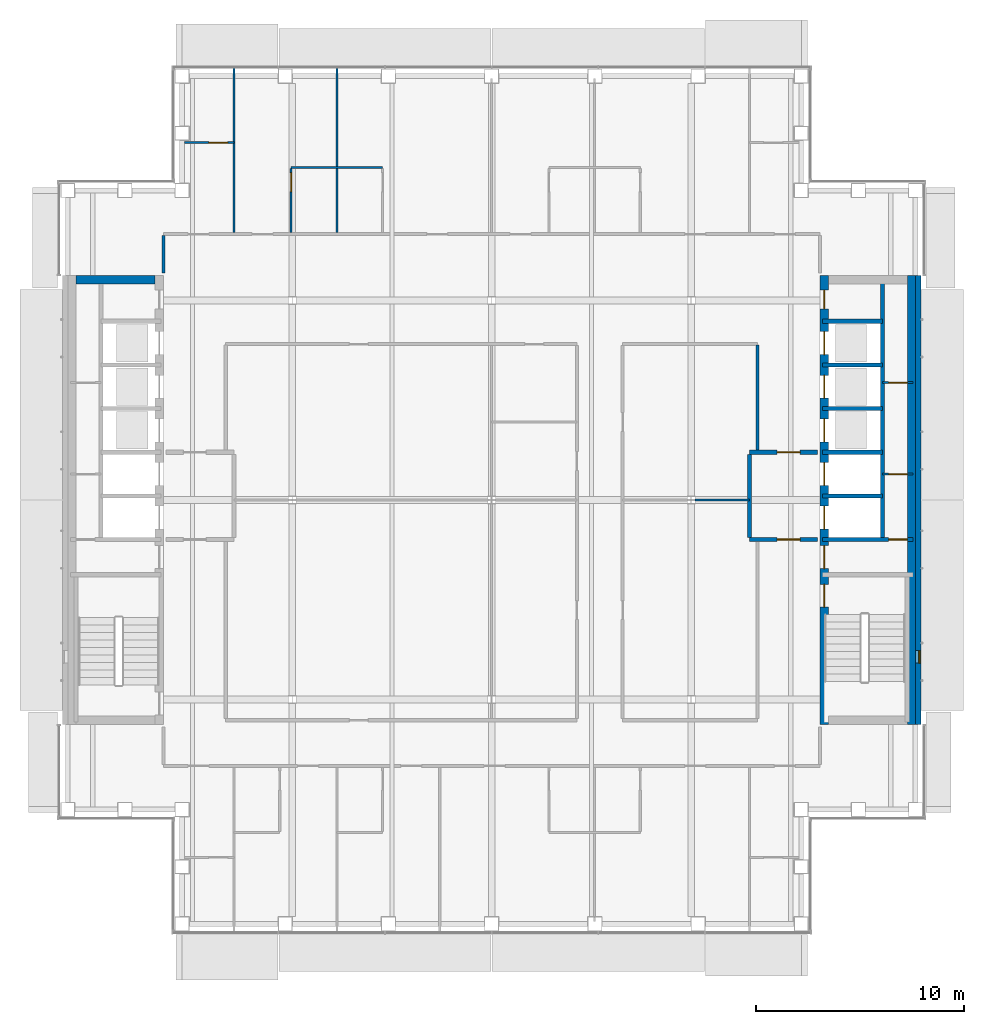
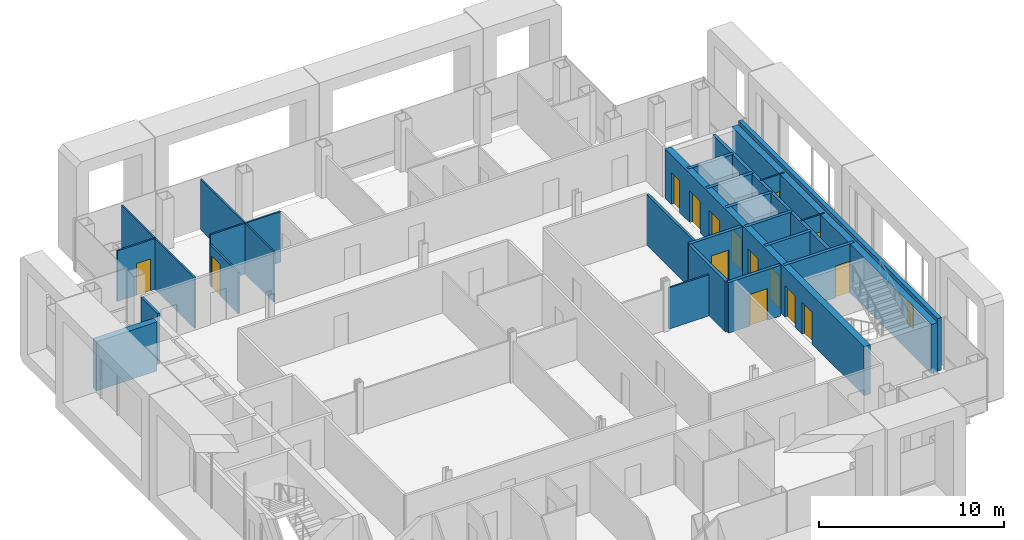
# One storey, part 11 of 19: 25 walls, 15 doors, 1 window, 16 openings.
"""IFC4 building model written with IfcOpenShell, lengths in metres."""

from ifc_helpers import new_model, si_unit, direction, frame, frame_2d, origin, place, context, subcontext, project, spatial, rectangle, extrude, material, layer, layer_set, type_object, element, fill, save


model = new_model("IFC4")

# Units and contexts
model_context = context("Model", 3, precision=1e-05, world=origin(), true_north=direction((0.0, 1.0)))
body_context = subcontext(model_context, "Body", "Model", "MODEL_VIEW")
ifc_project = project(units=[si_unit("LENGTHUNIT", "METRE"), si_unit("AREAUNIT", "SQUARE_METRE"), si_unit("VOLUMEUNIT", "CUBIC_METRE"), si_unit("PLANEANGLEUNIT", "RADIAN"), si_unit("MASSUNIT", "GRAM", prefix="KILO")], contexts=[model_context])

# Site, building, storey
site_placement = place(None, origin())
site = spatial("IfcSite", under=ifc_project, at=site_placement, CompositionType="ELEMENT")
building_placement = place(site_placement, origin())
building = spatial("IfcBuilding", under=site, at=building_placement, Name="Cobrizo Arcos Hotel Tower", CompositionType="ELEMENT")
storey_placement = place(building_placement, frame((0.0, 0.0, 198.0)))
storey = spatial("IfcBuildingStorey", under=building, at=storey_placement, Name="L51", CompositionType="ELEMENT", Elevation=198.0)

# Walls
ifc_material_1 = material(Name="Gypsum board partition")
ifc_layer_1 = layer(ifc_material_1, 0.14990234375)
ifc_layer_set_1 = layer_set([ifc_layer_1], Name="Corridor wall EI 60 150")
wall_type_1 = type_object("IfcWallType", Name="Corridor wall EI 60 150", PredefinedType="PARTITIONING", material=ifc_layer_set_1)
wall_1_placement = place(storey_placement, frame((-15.800048828125, 10.919921875, 0.0), z_axis=(0.0, 0.0, 1.0), x_axis=(0.0, 1.0, 0.0)))
element("IfcWall", 1, at=wall_1_placement, inside=storey, type_object=wall_type_1, Name="Partition 050", PredefinedType="PARTITIONING", context=body_context, shape_type="SweptSolid", body=[
    extrude(rectangle(XDim=1.80517578125, YDim=0.14990234375, at=frame_2d((0.902587890625, 0.0))), origin(), (0.0, 0.0, 1.0), 3.35009765625),
])
wall_2_placement = place(storey_placement, frame((12.800048828125, 2.39990234375, 0.0), z_axis=(0.0, 0.0, 1.0), x_axis=(0.0, 1.0, 0.0)))
element("IfcWall", 2, at=wall_2_placement, inside=storey, type_object=wall_type_1, Name="Partition 083", PredefinedType="PARTITIONING", context=body_context, shape_type="SweptSolid", body=[
    extrude(rectangle(XDim=5.050048828125, YDim=0.14990234375, at=frame_2d((2.52490234375, 0.0))), origin(), (0.0, 0.0, 1.0), 3.35009765625),
])

# Wall, opening, window
ifc_material_2 = material(Name="Aluminium composite panel pale metal", Category="aluminium")
ifc_layer_2 = layer(ifc_material_2, 0.25)
ifc_layer_set_2 = layer_set([ifc_layer_2], Name="EW-1 insulated panel wall 250")
wall_type_2 = type_object("IfcWallType", Name="EW-1 insulated panel wall 250", PredefinedType="SOLIDWALL", material=ifc_layer_set_2)
wall_3_placement = place(storey_placement, frame((20.52490234375, -10.800048828125, 0.0), z_axis=(0.0, 0.0, 1.0), x_axis=(0.0, 1.0, 0.0)))
wall_3 = element("IfcWall", 3, at=wall_3_placement, inside=storey, type_object=wall_type_2, Name="Core face wall L51 E", PredefinedType="SOLIDWALL", context=body_context, shape_type="SweptSolid", body=[
    extrude(rectangle(XDim=21.60009765625, YDim=0.25, at=frame_2d((10.800048828125, 0.0))), origin(), (0.0, 0.0, 1.0), 3.5),
])
opening_1_placement = place(wall_3_placement, frame((2.949951171875, 0.0, 1.0)))
opening_1 = element("IfcOpeningElement", 4, at=opening_1_placement, cuts=wall_3, Name="Opening W-115", PredefinedType="OPENING", context=body_context, shape_type="SweptSolid", body=[
    extrude(rectangle(XDim=0.60009765625, YDim=1.5, at=frame_2d((0.300048828125, 0.75))), frame((0.0, 0.136962890625, 0.0), z_axis=(0.0, -1.0, 0.0), x_axis=(1.0, 0.0, 0.0)), (0.0, 0.0, 1.0), 0.27392578125),
])
ifc_material_3 = material(Name="Aluminium 6063-T6 and clear laminated glass", Category="aluminium")
window_type = type_object("IfcWindowType", Name="W-C1 core stair slot window 600x1500", PartitioningType="SINGLE_PANEL", PredefinedType="WINDOW", material=ifc_material_3)
window_placement = place(opening_1_placement, origin())
window = element("IfcWindow", 5, at=window_placement, inside=storey, type_object=window_type, Name="Core face wall L51 E window W-115", OverallHeight=1.5, OverallWidth=0.60009765625, PartitioningType="SINGLE_PANEL", PredefinedType="WINDOW", context=body_context, shape_type="SweptSolid", body=[
    extrude(rectangle(XDim=0.60009765625, YDim=1.5, at=frame_2d((0.300048828125, 0.75))), frame((0.0, -0.034912109375, 0.0), z_axis=(0.0, -1.0, 0.0), x_axis=(1.0, 0.0, 0.0)), (0.0, 0.0, 1.0), 0.06005859375),
])
fill(opening_1, window)

# Wall
ifc_layer_3 = layer(ifc_material_1, 0.10009765625)
ifc_layer_set_3 = layer_set([ifc_layer_3], Name="Partition EI 30 100")
wall_type_3 = type_object("IfcWallType", Name="Partition EI 30 100", PredefinedType="PARTITIONING", material=ifc_layer_set_3)
wall_4_placement = place(storey_placement, frame((9.787109375, 0.0, 0.0), z_axis=(0.0, 0.0, 1.0), x_axis=(1.0, 0.0, 0.0)))
element("IfcWall", 6, at=wall_4_placement, inside=storey, type_object=wall_type_3, Name="Partition 022", PredefinedType="PARTITIONING", context=body_context, shape_type="SweptSolid", body=[
    extrude(rectangle(XDim=2.61279296875, YDim=0.10009765625, at=frame_2d((1.306396484375, 0.0))), origin(), (0.0, 0.0, 1.0), 2.72802734375),
])

# Wall, opening, door
wall_5_placement = place(storey_placement, frame((18.800048828125, 1.25, 0.0), z_axis=(0.0, 0.0, 1.0), x_axis=(1.0, 0.0, 0.0)))
wall_5 = element("IfcWall", 7, at=wall_5_placement, inside=storey, type_object=wall_type_3, Name="Partition 026", PredefinedType="PARTITIONING", context=body_context, shape_type="SweptSolid", body=[
    extrude(rectangle(XDim=1.47998046875, YDim=0.10009765625, at=frame_2d((0.739990234375, 0.0))), origin(), (0.0, 0.0, 1.0), 3.25),
])
opening_2_placement = place(wall_5_placement, frame((0.300048828125, 0.0, 0.0)))
opening_2 = element("IfcOpeningElement", 8, at=opening_2_placement, cuts=wall_5, Name="Opening RD-07", PredefinedType="OPENING", context=body_context, shape_type="SweptSolid", body=[
    extrude(rectangle(XDim=0.89990234375, YDim=2.10009765625, at=frame_2d((0.449951171875, 1.050048828125))), frame((0.0, 0.06201171875, 0.0), z_axis=(0.0, -1.0, 0.0), x_axis=(1.0, 0.0, 0.0)), (0.0, 0.0, 1.0), 0.1240234375),
])
ifc_material_4 = material(Name="Timber door leaf", Category="wood")
door_type_1 = type_object("IfcDoorType", Name="Room door FD30 900x2100", OperationType="SINGLE_SWING_LEFT", PredefinedType="DOOR", material=ifc_material_4)
door_1_placement = place(opening_2_placement, origin())
door_1 = element("IfcDoor", 9, at=door_1_placement, inside=storey, type_object=door_type_1, Name="Door RD-07", OperationType="SINGLE_SWING_LEFT", OverallHeight=2.10009765625, OverallWidth=0.89990234375, PredefinedType="DOOR", context=body_context, shape_type="SweptSolid", body=[
    extrude(rectangle(XDim=0.89990234375, YDim=2.10009765625, at=frame_2d((0.449951171875, 1.050048828125))), frame((0.0, 0.02490234375, 0.0), z_axis=(0.0, -1.0, 0.0), x_axis=(1.0, 0.0, 0.0)), (0.0, 0.0, 1.0), 0.050048828125),
])
fill(opening_2, door_1)

wall_6_placement = place(storey_placement, frame((18.800048828125, 5.64990234375, 0.0), z_axis=(0.0, 0.0, 1.0), x_axis=(1.0, 0.0, 0.0)))
wall_6 = element("IfcWall", 10, at=wall_6_placement, inside=storey, type_object=wall_type_3, Name="Partition 035", PredefinedType="PARTITIONING", context=body_context, shape_type="SweptSolid", body=[
    extrude(rectangle(XDim=1.47998046875, YDim=0.10009765625, at=frame_2d((0.739990234375, 0.0))), origin(), (0.0, 0.0, 1.0), 3.25),
])
opening_3_placement = place(wall_6_placement, frame((0.300048828125, 0.0, 0.0)))
opening_3 = element("IfcOpeningElement", 11, at=opening_3_placement, cuts=wall_6, Name="Opening RD-08", PredefinedType="OPENING", context=body_context, shape_type="SweptSolid", body=[
    extrude(rectangle(XDim=0.89990234375, YDim=2.10009765625, at=frame_2d((0.449951171875, 1.050048828125))), frame((0.0, 0.06201171875, 0.0), z_axis=(0.0, -1.0, 0.0), x_axis=(1.0, 0.0, 0.0)), (0.0, 0.0, 1.0), 0.1240234375),
])
door_2_placement = place(opening_3_placement, origin())
door_2 = element("IfcDoor", 12, at=door_2_placement, inside=storey, type_object=door_type_1, Name="Door RD-08", OperationType="SINGLE_SWING_LEFT", OverallHeight=2.10009765625, OverallWidth=0.89990234375, PredefinedType="DOOR", context=body_context, shape_type="SweptSolid", body=[
    extrude(rectangle(XDim=0.89990234375, YDim=2.10009765625, at=frame_2d((0.449951171875, 1.050048828125))), frame((0.0, 0.02490234375, 0.0), z_axis=(0.0, -1.0, 0.0), x_axis=(1.0, 0.0, 0.0)), (0.0, 0.0, 1.0), 0.050048828125),
])
fill(opening_3, door_2)

# Wall
wall_7_placement = place(storey_placement, frame((-9.64990234375, 16.0, 0.0), z_axis=(0.0, 0.0, 1.0), x_axis=(1.0, 0.0, 0.0)))
element("IfcWall", 13, at=wall_7_placement, inside=storey, type_object=wall_type_3, Name="Partition 043", PredefinedType="PARTITIONING", context=body_context, shape_type="SweptSolid", body=[
    extrude(rectangle(XDim=4.39990234375, YDim=0.10009765625, at=frame_2d((2.199951171875, 0.0))), origin(), (0.0, 0.0, 1.0), 3.35009765625),
])

# Wall, opening, door
wall_8_placement = place(storey_placement, frame((-14.780029296875, 17.199951171875, 0.0), z_axis=(0.0, 0.0, 1.0), x_axis=(1.0, 0.0, 0.0)))
wall_8 = element("IfcWall", 14, at=wall_8_placement, inside=storey, type_object=wall_type_3, Name="Partition 045", PredefinedType="PARTITIONING", context=body_context, shape_type="SweptSolid", body=[
    extrude(rectangle(XDim=2.380126953125, YDim=0.10009765625, at=frame_2d((1.18994140625, 0.0))), origin(), (0.0, 0.0, 1.0), 3.35009765625),
])
opening_4_placement = place(wall_8_placement, frame((1.16796875, 0.0, 0.0)))
opening_4 = element("IfcOpeningElement", 15, at=opening_4_placement, cuts=wall_8, Name="Opening ED-10", PredefinedType="OPENING", context=body_context, shape_type="SweptSolid", body=[
    extrude(rectangle(XDim=0.89990234375, YDim=2.10009765625, at=frame_2d((0.449951171875, 1.050048828125))), frame((0.0, 0.06201171875, 0.0), z_axis=(0.0, -1.0, 0.0), x_axis=(1.0, 0.0, 0.0)), (0.0, 0.0, 1.0), 0.1240234375),
])
door_type_2 = type_object("IfcDoorType", Name="En-suite door 900x2100", OperationType="SINGLE_SWING_LEFT", PredefinedType="DOOR", material=ifc_material_4)
door_3_placement = place(opening_4_placement, origin())
door_3 = element("IfcDoor", 16, at=door_3_placement, inside=storey, type_object=door_type_2, Name="Door ED-10", OperationType="SINGLE_SWING_LEFT", OverallHeight=2.10009765625, OverallWidth=0.89990234375, PredefinedType="DOOR", context=body_context, shape_type="SweptSolid", body=[
    extrude(rectangle(XDim=0.89990234375, YDim=2.10009765625, at=frame_2d((0.449951171875, 1.050048828125))), frame((0.0, 0.02490234375, 0.0), z_axis=(0.0, -1.0, 0.0), x_axis=(1.0, 0.0, 0.0)), (0.0, 0.0, 1.0), 0.050048828125),
])
fill(opening_4, door_3)

# Wall
wall_9_placement = place(storey_placement, frame((-12.39990234375, 12.875, 0.0), z_axis=(0.0, 0.0, 1.0), x_axis=(0.0, 1.0, 0.0)))
element("IfcWall", 17, at=wall_9_placement, inside=storey, type_object=wall_type_3, Name="Partition 055", PredefinedType="PARTITIONING", context=body_context, shape_type="SweptSolid", body=[
    extrude(rectangle(XDim=7.905029296875, YDim=0.10009765625, at=frame_2d((3.95263671875, 0.0))), origin(), (0.0, 0.0, 1.0), 3.35009765625),
])

# Wall, opening, door
wall_10_placement = place(storey_placement, frame((-9.64990234375, 12.875, 0.0), z_axis=(0.0, 0.0, 1.0), x_axis=(0.0, 1.0, 0.0)))
wall_10 = element("IfcWall", 18, at=wall_10_placement, inside=storey, type_object=wall_type_3, Name="Partition 057", PredefinedType="PARTITIONING", context=body_context, shape_type="SweptSolid", body=[
    extrude(rectangle(XDim=3.074951171875, YDim=0.10009765625, at=frame_2d((1.53759765625, 0.0))), origin(), (0.0, 0.0, 1.0), 2.72802734375),
])
opening_5_placement = place(wall_10_placement, frame((1.970947265625, 0.0, 0.0)))
opening_5 = element("IfcOpeningElement", 19, at=opening_5_placement, cuts=wall_10, Name="Opening ED-01", PredefinedType="OPENING", context=body_context, shape_type="SweptSolid", body=[
    extrude(rectangle(XDim=0.89990234375, YDim=2.10009765625, at=frame_2d((0.449951171875, 1.050048828125))), frame((0.0, 0.06201171875, 0.0), z_axis=(0.0, -1.0, 0.0), x_axis=(1.0, 0.0, 0.0)), (0.0, 0.0, 1.0), 0.1240234375),
])
door_4_placement = place(opening_5_placement, origin())
door_4 = element("IfcDoor", 20, at=door_4_placement, inside=storey, type_object=door_type_2, Name="Door ED-01", OperationType="SINGLE_SWING_RIGHT", OverallHeight=2.10009765625, OverallWidth=0.89990234375, PredefinedType="DOOR", context=body_context, shape_type="SweptSolid", body=[
    extrude(rectangle(XDim=0.89990234375, YDim=2.10009765625, at=frame_2d((0.449951171875, 1.050048828125))), frame((0.0, 0.02490234375, 0.0), z_axis=(0.0, -1.0, 0.0), x_axis=(1.0, 0.0, 0.0)), (0.0, 0.0, 1.0), 0.050048828125),
])
fill(opening_5, door_4)

# Walls
wall_11_placement = place(storey_placement, frame((-7.449951171875, 12.875, 0.0), z_axis=(0.0, 0.0, 1.0), x_axis=(0.0, 1.0, 0.0)))
element("IfcWall", 21, at=wall_11_placement, inside=storey, type_object=wall_type_3, Name="Partition 059", PredefinedType="PARTITIONING", context=body_context, shape_type="SweptSolid", body=[
    extrude(rectangle(XDim=3.074951171875, YDim=0.10009765625, at=frame_2d((1.53759765625, 0.0))), origin(), (0.0, 0.0, 1.0), 3.35009765625),
])
wall_12_placement = place(storey_placement, frame((-7.449951171875, 16.050048828125, 0.0), z_axis=(0.0, 0.0, 1.0), x_axis=(0.0, 1.0, 0.0)))
element("IfcWall", 22, at=wall_12_placement, inside=storey, type_object=wall_type_3, Name="Partition 060", PredefinedType="PARTITIONING", context=body_context, shape_type="SweptSolid", body=[
    extrude(rectangle(XDim=4.72998046875, YDim=0.10009765625, at=frame_2d((2.364990234375, 0.0))), origin(), (0.0, 0.0, 1.0), 3.35009765625),
])

# Wall, openings, doors
ifc_material_5 = material(Name="Concrete f'c 40 MPa", Category="concrete")
ifc_layer_4 = layer(ifc_material_5, 0.39990234375)
ifc_layer_set_4 = layer_set([ifc_layer_4], Name="RC core wall 400 f'c 40")
wall_type_4 = type_object("IfcWallType", Name="RC core wall 400 f'c 40", PredefinedType="SHEAR", material=ifc_layer_set_4)
wall_13_placement = place(storey_placement, frame((16.0, -10.800048828125, 0.0), z_axis=(0.0, 0.0, 1.0), x_axis=(0.0, 1.0, 0.0)))
wall_13 = element("IfcWall", 23, at=wall_13_placement, inside=storey, type_object=wall_type_4, Name="Core wall CW4, east core, inner face, L51", PredefinedType="SHEAR", context=body_context, shape_type="SweptSolid", body=[
    extrude(rectangle(XDim=21.60009765625, YDim=0.39990234375, at=frame_2d((10.800048828125, 0.0))), origin(), (0.0, 0.0, 1.0), 3.25),
])
opening_6_placement = place(wall_13_placement, frame((9.39990234375, 0.0, 0.0)))
opening_6 = element("IfcOpeningElement", 24, at=opening_6_placement, cuts=wall_13, Name="Opening LD-06", PredefinedType="OPENING", context=body_context, shape_type="SweptSolid", body=[
    extrude(rectangle(XDim=1.10009765625, YDim=2.10009765625, at=frame_2d((0.550048828125, 1.050048828125))), frame((0.0, 0.2119140625, 0.0), z_axis=(0.0, -1.0, 0.0), x_axis=(1.0, 0.0, 0.0)), (0.0, 0.0, 1.0), 0.423828125),
])
opening_7_placement = place(wall_13_placement, frame((11.5, 0.0, 0.0)))
opening_7 = element("IfcOpeningElement", 25, at=opening_7_placement, cuts=wall_13, Name="Opening LD-07", PredefinedType="OPENING", context=body_context, shape_type="SweptSolid", body=[
    extrude(rectangle(XDim=1.10009765625, YDim=2.10009765625, at=frame_2d((0.550048828125, 1.050048828125))), frame((0.0, 0.2119140625, 0.0), z_axis=(0.0, -1.0, 0.0), x_axis=(1.0, 0.0, 0.0)), (0.0, 0.0, 1.0), 0.423828125),
])
opening_8_placement = place(wall_13_placement, frame((13.60009765625, 0.0, 0.0)))
opening_8 = element("IfcOpeningElement", 26, at=opening_8_placement, cuts=wall_13, Name="Opening LD-08", PredefinedType="OPENING", context=body_context, shape_type="SweptSolid", body=[
    extrude(rectangle(XDim=1.10009765625, YDim=2.10009765625, at=frame_2d((0.550048828125, 1.050048828125))), frame((0.0, 0.2119140625, 0.0), z_axis=(0.0, -1.0, 0.0), x_axis=(1.0, 0.0, 0.0)), (0.0, 0.0, 1.0), 0.423828125),
])
opening_9_placement = place(wall_13_placement, frame((15.699951171875, 0.0, 0.0)))
opening_9 = element("IfcOpeningElement", 27, at=opening_9_placement, cuts=wall_13, Name="Opening LD-09", PredefinedType="OPENING", context=body_context, shape_type="SweptSolid", body=[
    extrude(rectangle(XDim=1.10009765625, YDim=2.10009765625, at=frame_2d((0.550048828125, 1.050048828125))), frame((0.0, 0.2119140625, 0.0), z_axis=(0.0, -1.0, 0.0), x_axis=(1.0, 0.0, 0.0)), (0.0, 0.0, 1.0), 0.423828125),
])
opening_10_placement = place(wall_13_placement, frame((17.800048828125, 0.0, 0.0)))
opening_10 = element("IfcOpeningElement", 28, at=opening_10_placement, cuts=wall_13, Name="Opening LD-10", PredefinedType="OPENING", context=body_context, shape_type="SweptSolid", body=[
    extrude(rectangle(XDim=1.10009765625, YDim=2.10009765625, at=frame_2d((0.550048828125, 1.050048828125))), frame((0.0, 0.2119140625, 0.0), z_axis=(0.0, -1.0, 0.0), x_axis=(1.0, 0.0, 0.0)), (0.0, 0.0, 1.0), 0.423828125),
])
opening_11_placement = place(wall_13_placement, frame((5.64208984375, 0.0, 0.0)))
opening_11 = element("IfcOpeningElement", 29, at=opening_11_placement, cuts=wall_13, Name="Opening SD-02", PredefinedType="OPENING", context=body_context, shape_type="SweptSolid", body=[
    extrude(rectangle(XDim=1.10009765625, YDim=2.10009765625, at=frame_2d((0.550048828125, 1.050048828125))), frame((0.0, 0.2119140625, 0.0), z_axis=(0.0, -1.0, 0.0), x_axis=(1.0, 0.0, 0.0)), (0.0, 0.0, 1.0), 0.423828125),
])
opening_12_placement = place(wall_13_placement, frame((7.5, 0.0, 0.0)))
opening_12 = element("IfcOpeningElement", 30, at=opening_12_placement, cuts=wall_13, Name="Opening FD-04", PredefinedType="OPENING", context=body_context, shape_type="SweptSolid", body=[
    extrude(rectangle(XDim=1.10009765625, YDim=2.10009765625, at=frame_2d((0.550048828125, 1.050048828125))), frame((0.0, 0.2119140625, 0.0), z_axis=(0.0, -1.0, 0.0), x_axis=(1.0, 0.0, 0.0)), (0.0, 0.0, 1.0), 0.423828125),
])
opening_13_placement = place(wall_13_placement, frame((20.0, 0.0, 0.0)))
opening_13 = element("IfcOpeningElement", 31, at=opening_13_placement, cuts=wall_13, Name="Opening RD-05", PredefinedType="OPENING", context=body_context, shape_type="SweptSolid", body=[
    extrude(rectangle(XDim=0.89990234375, YDim=2.10009765625, at=frame_2d((0.449951171875, 1.050048828125))), frame((0.0, 0.2119140625, 0.0), z_axis=(0.0, -1.0, 0.0), x_axis=(1.0, 0.0, 0.0)), (0.0, 0.0, 1.0), 0.423828125),
])
ifc_material_6 = material(Name="Steel door leaf", Category="steel")
door_type_3 = type_object("IfcDoorType", Name="Fire door FD60 1100x2100", OperationType="SINGLE_SWING_LEFT", PredefinedType="DOOR", material=ifc_material_6)
door_5_placement = place(opening_12_placement, origin())
door_5 = element("IfcDoor", 32, at=door_5_placement, inside=storey, type_object=door_type_3, Name="Door FD-04", OperationType="SINGLE_SWING_LEFT", OverallHeight=2.10009765625, OverallWidth=1.10009765625, PredefinedType="DOOR", context=body_context, shape_type="SweptSolid", body=[
    extrude(rectangle(XDim=1.10009765625, YDim=2.10009765625, at=frame_2d((0.550048828125, 1.050048828125))), frame((0.0, 0.02490234375, 0.0), z_axis=(0.0, -1.0, 0.0), x_axis=(1.0, 0.0, 0.0)), (0.0, 0.0, 1.0), 0.050048828125),
])
fill(opening_12, door_5)
door_type_4 = type_object("IfcDoorType", Name="Lift landing door 1100x2100", OperationType="SLIDING_TO_LEFT", PredefinedType="DOOR", material=ifc_material_6)
door_6_placement = place(opening_6_placement, origin())
door_6 = element("IfcDoor", 33, at=door_6_placement, inside=storey, type_object=door_type_4, Name="Lift landing door LD-06", OperationType="SLIDING_TO_LEFT", OverallHeight=2.10009765625, OverallWidth=1.10009765625, PredefinedType="DOOR", context=body_context, shape_type="SweptSolid", body=[
    extrude(rectangle(XDim=1.10009765625, YDim=2.10009765625, at=frame_2d((0.550048828125, 1.050048828125))), frame((0.0, 0.02490234375, 0.0), z_axis=(0.0, -1.0, 0.0), x_axis=(1.0, 0.0, 0.0)), (0.0, 0.0, 1.0), 0.050048828125),
])
fill(opening_6, door_6)
door_7_placement = place(opening_7_placement, origin())
door_7 = element("IfcDoor", 34, at=door_7_placement, inside=storey, type_object=door_type_4, Name="Lift landing door LD-07", OperationType="SLIDING_TO_LEFT", OverallHeight=2.10009765625, OverallWidth=1.10009765625, PredefinedType="DOOR", context=body_context, shape_type="SweptSolid", body=[
    extrude(rectangle(XDim=1.10009765625, YDim=2.10009765625, at=frame_2d((0.550048828125, 1.050048828125))), frame((0.0, 0.02490234375, 0.0), z_axis=(0.0, -1.0, 0.0), x_axis=(1.0, 0.0, 0.0)), (0.0, 0.0, 1.0), 0.050048828125),
])
fill(opening_7, door_7)
door_8_placement = place(opening_8_placement, origin())
door_8 = element("IfcDoor", 35, at=door_8_placement, inside=storey, type_object=door_type_4, Name="Lift landing door LD-08", OperationType="SLIDING_TO_LEFT", OverallHeight=2.10009765625, OverallWidth=1.10009765625, PredefinedType="DOOR", context=body_context, shape_type="SweptSolid", body=[
    extrude(rectangle(XDim=1.10009765625, YDim=2.10009765625, at=frame_2d((0.550048828125, 1.050048828125))), frame((0.0, 0.02490234375, 0.0), z_axis=(0.0, -1.0, 0.0), x_axis=(1.0, 0.0, 0.0)), (0.0, 0.0, 1.0), 0.050048828125),
])
fill(opening_8, door_8)
door_9_placement = place(opening_9_placement, origin())
door_9 = element("IfcDoor", 36, at=door_9_placement, inside=storey, type_object=door_type_4, Name="Lift landing door LD-09", OperationType="SLIDING_TO_LEFT", OverallHeight=2.10009765625, OverallWidth=1.10009765625, PredefinedType="DOOR", context=body_context, shape_type="SweptSolid", body=[
    extrude(rectangle(XDim=1.10009765625, YDim=2.10009765625, at=frame_2d((0.550048828125, 1.050048828125))), frame((0.0, 0.02490234375, 0.0), z_axis=(0.0, -1.0, 0.0), x_axis=(1.0, 0.0, 0.0)), (0.0, 0.0, 1.0), 0.050048828125),
])
fill(opening_9, door_9)
door_10_placement = place(opening_10_placement, origin())
door_10 = element("IfcDoor", 37, at=door_10_placement, inside=storey, type_object=door_type_4, Name="Lift landing door LD-10", OperationType="SLIDING_TO_LEFT", OverallHeight=2.10009765625, OverallWidth=1.10009765625, PredefinedType="DOOR", context=body_context, shape_type="SweptSolid", body=[
    extrude(rectangle(XDim=1.10009765625, YDim=2.10009765625, at=frame_2d((0.550048828125, 1.050048828125))), frame((0.0, 0.02490234375, 0.0), z_axis=(0.0, -1.0, 0.0), x_axis=(1.0, 0.0, 0.0)), (0.0, 0.0, 1.0), 0.050048828125),
])
fill(opening_10, door_10)
door_11_placement = place(opening_13_placement, origin())
door_11 = element("IfcDoor", 38, at=door_11_placement, inside=storey, type_object=door_type_1, Name="Door RD-05", OperationType="SINGLE_SWING_RIGHT", OverallHeight=2.10009765625, OverallWidth=0.89990234375, PredefinedType="DOOR", context=body_context, shape_type="SweptSolid", body=[
    extrude(rectangle(XDim=0.89990234375, YDim=2.10009765625, at=frame_2d((0.449951171875, 1.050048828125))), frame((0.0, 0.02490234375, 0.0), z_axis=(0.0, -1.0, 0.0), x_axis=(1.0, 0.0, 0.0)), (0.0, 0.0, 1.0), 0.050048828125),
])
fill(opening_13, door_11)
door_type_5 = type_object("IfcDoorType", Name="Stair door FD60S 1100x2100", OperationType="SINGLE_SWING_LEFT", PredefinedType="DOOR", material=ifc_material_6)
door_12_placement = place(opening_11_placement, origin())
door_12 = element("IfcDoor", 39, at=door_12_placement, inside=storey, type_object=door_type_5, Name="Door SD-02", OperationType="SINGLE_SWING_LEFT", OverallHeight=2.10009765625, OverallWidth=1.10009765625, PredefinedType="DOOR", context=body_context, shape_type="SweptSolid", body=[
    extrude(rectangle(XDim=1.10009765625, YDim=2.10009765625, at=frame_2d((0.550048828125, 1.050048828125))), frame((0.0, 0.02490234375, 0.0), z_axis=(0.0, -1.0, 0.0), x_axis=(1.0, 0.0, 0.0)), (0.0, 0.0, 1.0), 0.050048828125),
])
fill(opening_11, door_12)

# Walls
wall_14_placement = place(storey_placement, frame((20.199951171875, -10.800048828125, 0.0), z_axis=(0.0, 0.0, 1.0), x_axis=(0.0, 1.0, 0.0)))
element("IfcWall", 40, at=wall_14_placement, inside=storey, type_object=wall_type_4, Name="Core wall CW4, east core, outer face, L51", PredefinedType="SHEAR", context=body_context, shape_type="SweptSolid", body=[
    extrude(rectangle(XDim=21.60009765625, YDim=0.39990234375, at=frame_2d((10.800048828125, 0.0))), origin(), (0.0, 0.0, 1.0), 3.25),
])
wall_15_placement = place(storey_placement, frame((-20.0, 10.60009765625, 0.0), z_axis=(0.0, 0.0, 1.0), x_axis=(1.0, 0.0, 0.0)))
element("IfcWall", 41, at=wall_15_placement, inside=storey, type_object=wall_type_4, Name="Core wall CW4, west core, north end, L51", PredefinedType="SHEAR", context=body_context, shape_type="SweptSolid", body=[
    extrude(rectangle(XDim=3.800048828125, YDim=0.39990234375, at=frame_2d((1.89990234375, 0.0))), origin(), (0.0, 0.0, 1.0), 3.25),
])

# Wall, opening, door
ifc_layer_5 = layer(ifc_material_1, 0.199951171875)
ifc_layer_set_5 = layer_set([ifc_layer_5], Name="Shaft wall EI 120 200")
wall_type_5 = type_object("IfcWallType", Name="Shaft wall EI 120 200", PredefinedType="PARTITIONING", material=ifc_layer_set_5)
wall_16_placement = place(storey_placement, frame((12.39990234375, -1.89990234375, 0.0), z_axis=(0.0, 0.0, 1.0), x_axis=(1.0, 0.0, 0.0)))
wall_16 = element("IfcWall", 42, at=wall_16_placement, inside=storey, type_object=wall_type_5, Name="Partition 013", PredefinedType="PARTITIONING", context=body_context, shape_type="SweptSolid", body=[
    extrude(rectangle(XDim=3.280029296875, YDim=0.199951171875, at=frame_2d((1.64013671875, 0.0))), origin(), (0.0, 0.0, 1.0), 3.35009765625),
])
opening_14_placement = place(wall_16_placement, frame((1.340087890625, 0.0, 0.0)))
opening_14 = element("IfcOpeningElement", 43, at=opening_14_placement, cuts=wall_16, Name="Opening FD-06", PredefinedType="OPENING", context=body_context, shape_type="SweptSolid", body=[
    extrude(rectangle(XDim=1.10009765625, YDim=2.10009765625, at=frame_2d((0.550048828125, 1.050048828125))), frame((0.0, 0.112060546875, 0.0), z_axis=(0.0, -1.0, 0.0), x_axis=(1.0, 0.0, 0.0)), (0.0, 0.0, 1.0), 0.223876953125),
])
door_13_placement = place(opening_14_placement, origin())
door_13 = element("IfcDoor", 44, at=door_13_placement, inside=storey, type_object=door_type_3, Name="Door FD-06", OperationType="SINGLE_SWING_RIGHT", OverallHeight=2.10009765625, OverallWidth=1.10009765625, PredefinedType="DOOR", context=body_context, shape_type="SweptSolid", body=[
    extrude(rectangle(XDim=1.10009765625, YDim=2.10009765625, at=frame_2d((0.550048828125, 1.050048828125))), frame((0.0, 0.02490234375, 0.0), z_axis=(0.0, -1.0, 0.0), x_axis=(1.0, 0.0, 0.0)), (0.0, 0.0, 1.0), 0.050048828125),
])
fill(opening_14, door_13)

wall_17_placement = place(storey_placement, frame((15.919921875, -1.89990234375, 0.0), z_axis=(0.0, 0.0, 1.0), x_axis=(1.0, 0.0, 0.0)))
wall_17 = element("IfcWall", 45, at=wall_17_placement, inside=storey, type_object=wall_type_5, Name="Partition 014", PredefinedType="PARTITIONING", context=body_context, shape_type="SweptSolid", body=[
    extrude(rectangle(XDim=4.360107421875, YDim=0.199951171875, at=frame_2d((2.18017578125, 0.0))), origin(), (0.0, 0.0, 1.0), 3.25),
])
opening_15_placement = place(wall_17_placement, frame((3.179931640625, 0.0, 0.0)))
opening_15 = element("IfcOpeningElement", 46, at=opening_15_placement, cuts=wall_17, Name="Opening RD-06", PredefinedType="OPENING", context=body_context, shape_type="SweptSolid", body=[
    extrude(rectangle(XDim=0.89990234375, YDim=2.10009765625, at=frame_2d((0.449951171875, 1.050048828125))), frame((0.0, 0.112060546875, 0.0), z_axis=(0.0, -1.0, 0.0), x_axis=(1.0, 0.0, 0.0)), (0.0, 0.0, 1.0), 0.223876953125),
])
door_14_placement = place(opening_15_placement, origin())
door_14 = element("IfcDoor", 47, at=door_14_placement, inside=storey, type_object=door_type_1, Name="Door RD-06", OperationType="SINGLE_SWING_RIGHT", OverallHeight=2.10009765625, OverallWidth=0.89990234375, PredefinedType="DOOR", context=body_context, shape_type="SweptSolid", body=[
    extrude(rectangle(XDim=0.89990234375, YDim=2.10009765625, at=frame_2d((0.449951171875, 1.050048828125))), frame((0.0, 0.02490234375, 0.0), z_axis=(0.0, -1.0, 0.0), x_axis=(1.0, 0.0, 0.0)), (0.0, 0.0, 1.0), 0.050048828125),
])
fill(opening_15, door_14)

# Wall
wall_18_placement = place(storey_placement, frame((15.919921875, 0.199951171875, 0.0), z_axis=(0.0, 0.0, 1.0), x_axis=(1.0, 0.0, 0.0)))
element("IfcWall", 48, at=wall_18_placement, inside=storey, type_object=wall_type_5, Name="Partition 024", PredefinedType="PARTITIONING", context=body_context, shape_type="SweptSolid", body=[
    extrude(rectangle(XDim=2.880126953125, YDim=0.199951171875, at=frame_2d((1.43994140625, 0.0))), origin(), (0.0, 0.0, 1.0), 3.25),
])

# Wall, opening, door
wall_19_placement = place(storey_placement, frame((12.39990234375, 2.300048828125, 0.0), z_axis=(0.0, 0.0, 1.0), x_axis=(1.0, 0.0, 0.0)))
wall_19 = element("IfcWall", 49, at=wall_19_placement, inside=storey, type_object=wall_type_5, Name="Partition 029", PredefinedType="PARTITIONING", context=body_context, shape_type="SweptSolid", body=[
    extrude(rectangle(XDim=3.280029296875, YDim=0.199951171875, at=frame_2d((1.64013671875, 0.0))), origin(), (0.0, 0.0, 1.0), 3.35009765625),
])
opening_16_placement = place(wall_19_placement, frame((1.340087890625, 0.0, 0.0)))
opening_16 = element("IfcOpeningElement", 50, at=opening_16_placement, cuts=wall_19, Name="Opening FD-05", PredefinedType="OPENING", context=body_context, shape_type="SweptSolid", body=[
    extrude(rectangle(XDim=1.10009765625, YDim=2.10009765625, at=frame_2d((0.550048828125, 1.050048828125))), frame((0.0, 0.112060546875, 0.0), z_axis=(0.0, -1.0, 0.0), x_axis=(1.0, 0.0, 0.0)), (0.0, 0.0, 1.0), 0.223876953125),
])
door_15_placement = place(opening_16_placement, origin())
door_15 = element("IfcDoor", 51, at=door_15_placement, inside=storey, type_object=door_type_3, Name="Door FD-05", OperationType="SINGLE_SWING_RIGHT", OverallHeight=2.10009765625, OverallWidth=1.10009765625, PredefinedType="DOOR", context=body_context, shape_type="SweptSolid", body=[
    extrude(rectangle(XDim=1.10009765625, YDim=2.10009765625, at=frame_2d((0.550048828125, 1.050048828125))), frame((0.0, 0.02490234375, 0.0), z_axis=(0.0, -1.0, 0.0), x_axis=(1.0, 0.0, 0.0)), (0.0, 0.0, 1.0), 0.050048828125),
])
fill(opening_16, door_15)

# Walls
for number, where, z_axis, x_axis, name in (
    (52, (15.919921875, 2.300048828125, 0.0), (0.0, 0.0, 1.0), (1.0, 0.0, 0.0), "Partition 030"),
    (53, (15.919921875, 4.39990234375, 0.0), (0.0, 0.0, 1.0), (1.0, 0.0, 0.0), "Partition 033"),
    (54, (15.919921875, 6.5, 0.0), (0.0, 0.0, 1.0), (1.0, 0.0, 0.0), "Partition 037"),
    (55, (15.919921875, 8.60009765625, 0.0), (0.0, 0.0, 1.0), (1.0, 0.0, 0.0), "Partition 041"),
):
    element("IfcWall", number, at=place(storey_placement, frame(where, z_axis=z_axis, x_axis=x_axis)), inside=storey, type_object=wall_type_5, Name=name, PredefinedType="PARTITIONING", context=body_context, shape_type="SweptSolid", body=[
        extrude(rectangle(XDim=2.880126953125, YDim=0.199951171875, at=frame_2d((1.43994140625, 0.0))), origin(), (0.0, 0.0, 1.0), 3.25),
    ])
wall_20_placement = place(storey_placement, frame((12.39990234375, -1.800048828125, 0.0), z_axis=(0.0, 0.0, 1.0), x_axis=(0.0, 1.0, 0.0)))
element("IfcWall", 56, at=wall_20_placement, inside=storey, type_object=wall_type_5, Name="Partition 080", PredefinedType="PARTITIONING", context=body_context, shape_type="SweptSolid", body=[
    extrude(rectangle(XDim=4.0, YDim=0.199951171875, at=frame_2d((2.0, 0.0))), origin(), (0.0, 0.0, 1.0), 3.35009765625),
])
wall_21_placement = place(storey_placement, frame((18.800048828125, -1.800048828125, 0.0), z_axis=(0.0, 0.0, 1.0), x_axis=(0.0, 1.0, 0.0)))
element("IfcWall", 57, at=wall_21_placement, inside=storey, type_object=wall_type_5, Name="Partition 086", PredefinedType="PARTITIONING", context=body_context, shape_type="SweptSolid", body=[
    extrude(rectangle(XDim=12.47998046875, YDim=0.199951171875, at=frame_2d((6.239990234375, 0.0))), origin(), (0.0, 0.0, 1.0), 3.25),
])

save(model, "model.ifc")
